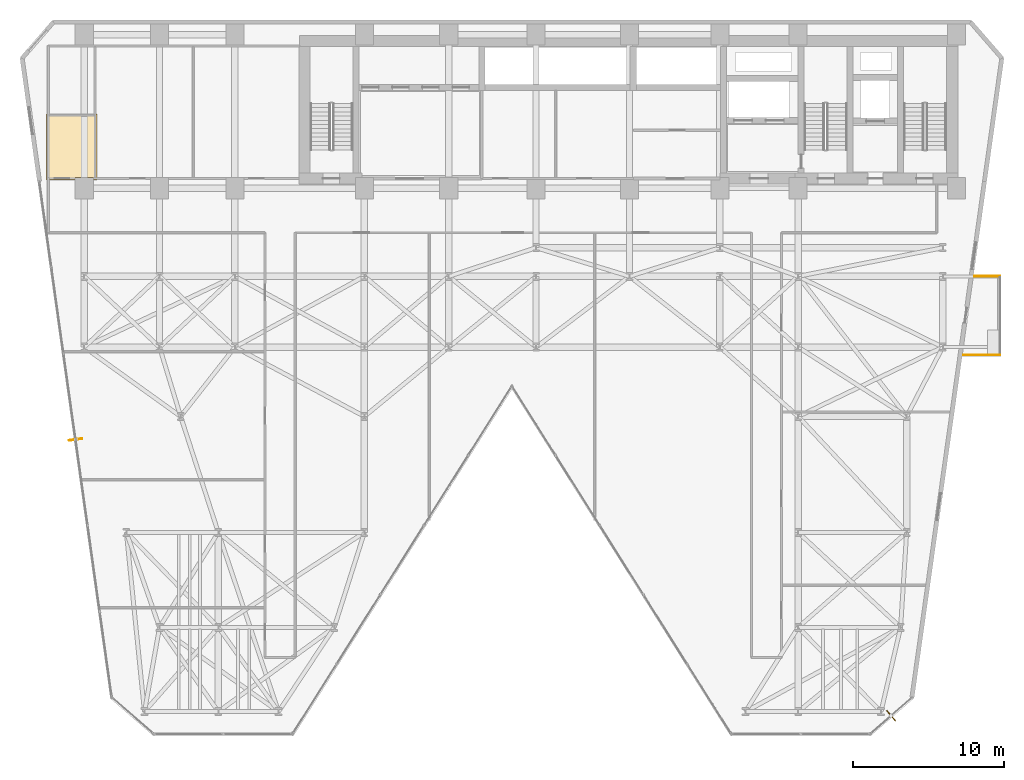
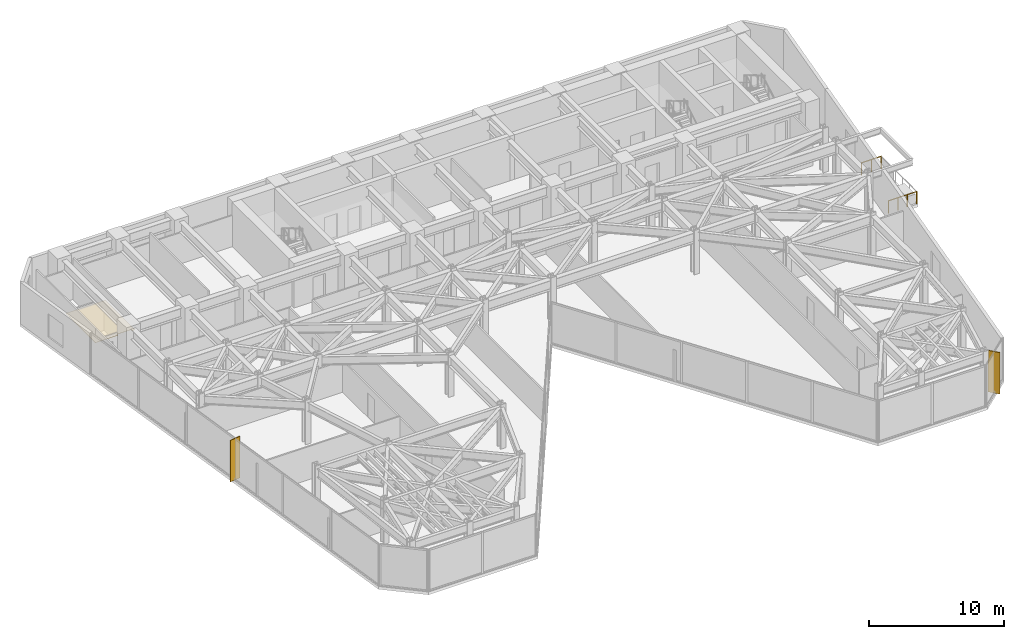
# One storey, part 23 of 25: 2 railings, 2 shading devices, 1 covering.
"""IFC4 building model written with IfcOpenShell, lengths in metres."""

import ifcopenshell
import ifcopenshell.guid

model = None  # the IFC model being written
_history = None  # IfcOwnerHistory: only IFC2X3 demands one
_inside = {}  # id of a spatial element -> (the spatial element, [elements in it])
_under = {}  # id of a project, library or spatial element -> (it, [spatial elements below it])
_declared = {}  # id of a project -> (the project, [libraries it declares])
_typed = {}  # id of a type object -> (the type object, [elements of that type])
_made_of = {}  # id of a material, layer set ... -> (it, [elements and type objects made of it])


def new_model(schema):
    """Start an empty IFC model of exactly this schema.

    Asked for "IFC4X3", IfcOpenShell would pick the latest addendum, in which some entities
    have other attributes; the version numbers below select the first issue.
    IFC2X3 requires an IfcOwnerHistory on every rooted entity: one is made here for all.
    """
    global model, _history
    if schema == "IFC4X3":
        model = ifcopenshell.file(schema_version=(4, 3, 0, 0))
    else:
        model = ifcopenshell.file(schema=schema)
    _inside.clear()
    _under.clear()
    _declared.clear()
    _typed.clear()
    _made_of.clear()
    _history = None
    if model.schema == "IFC2X3":
        org = make("IfcOrganization", Name="unknown")
        user = make(
            "IfcPersonAndOrganization",
            ThePerson=make("IfcPerson", FamilyName="unknown"),
            TheOrganization=org,
        )
        app = make(
            "IfcApplication",
            ApplicationDeveloper=org,
            Version="unknown",
            ApplicationFullName="unknown",
            ApplicationIdentifier="unknown",
        )
        _history = make(
            "IfcOwnerHistory",
            OwningUser=user,
            OwningApplication=app,
            ChangeAction="ADDED",
            CreationDate=0,
        )
    return model


def make(cls, **values):
    """One entity of the class cls with the attributes given. An attribute that is None is left unset."""
    return model.create_entity(
        cls, **{name: value for name, value in values.items() if value is not None}
    )


def rooted(cls, **values):
    """An entity with a GlobalId (a new one), such as an element, a storey or a relation."""
    return make(cls, GlobalId=ifcopenshell.guid.new(), OwnerHistory=_history, **values)


def si_unit(unit_type, name, prefix=None):
    """IfcSIUnit, for example si_unit("LENGTHUNIT", "METRE", prefix="MILLI")."""
    return make("IfcSIUnit", UnitType=unit_type, Prefix=prefix, Name=name)


def assignment(units):
    """IfcUnitAssignment: the units of a project."""
    return None if units is None else make("IfcUnitAssignment", Units=units)


def point(xyz):
    """IfcCartesianPoint."""
    return None if xyz is None else make("IfcCartesianPoint", Coordinates=xyz)


def direction(xyz):
    """IfcDirection."""
    return None if xyz is None else make("IfcDirection", DirectionRatios=xyz)


def frame(location, z_axis=None, x_axis=None):
    """IfcAxis2Placement3D, a coordinate frame: its origin and axes. An axis left out is left unset."""
    return make(
        "IfcAxis2Placement3D",
        Location=point(location),
        Axis=direction(z_axis),
        RefDirection=direction(x_axis),
    )


def frame_2d(location, x_axis=None):
    """IfcAxis2Placement2D, a coordinate frame in the plane: its origin and x axis."""
    return make(
        "IfcAxis2Placement2D", Location=point(location), RefDirection=direction(x_axis)
    )


def origin():
    """The frame at (0, 0, 0) with its axes left unset."""
    return frame((0.0, 0.0, 0.0))


def origin_2d():
    """The frame at (0, 0) in the plane with its x axis left unset."""
    return frame_2d((0.0, 0.0))


def place(relative_to, where):
    """IfcLocalPlacement: puts the frame where relative to a parent placement (None: the world)."""
    return make(
        "IfcLocalPlacement", PlacementRelTo=relative_to, RelativePlacement=where
    )


def context(
    kind, dimensions, precision=None, world=None, true_north=None, identifier=None
):
    """IfcGeometricRepresentationContext, for example the 3D "Model" context."""
    return make(
        "IfcGeometricRepresentationContext",
        ContextIdentifier=identifier,
        ContextType=kind,
        CoordinateSpaceDimension=dimensions,
        Precision=precision,
        WorldCoordinateSystem=world,
        TrueNorth=true_north,
    )


def subcontext(parent, identifier, kind, view, scale=None):
    """IfcGeometricRepresentationSubContext, for example "Body" below "Model"."""
    return make(
        "IfcGeometricRepresentationSubContext",
        ContextIdentifier=identifier,
        ContextType=kind,
        ParentContext=parent,
        TargetScale=scale,
        TargetView=view,
    )


def project(units=None, contexts=None):
    """IfcProject with its units and contexts."""
    return rooted(
        "IfcProject",
        Name="project",
        RepresentationContexts=contexts,
        UnitsInContext=assignment(units),
    )


def spatial(cls, under=None, at=None, **own):
    """A site, building, storey or space (cls), placed at a placement, below another one or the project."""
    s = rooted(cls, ObjectPlacement=at, **own)
    if under is not None:
        _under.setdefault(under.id(), (under, []))[1].append(s)
    return s


def polyline(points):
    """IfcPolyline through the points."""
    return make("IfcPolyline", Points=[point(p) for p in points])


def profile(cls, at=None, kind="AREA", **sizes):
    """A parametric profile (cls). Its sizes go by their IFC names, for example OverallWidth=200.0."""
    return make(cls, ProfileType=kind, Position=at, **sizes)


def rectangle(**sizes):
    """IfcRectangleProfileDef."""
    return profile("IfcRectangleProfileDef", **sizes)


def circle(**sizes):
    """IfcCircleProfileDef."""
    return profile("IfcCircleProfileDef", **sizes)


def outline(outer, holes=None, kind="AREA"):
    """IfcArbitraryClosedProfileDef: a profile drawn as a closed curve; with holes, ...WithVoids."""
    if holes is None:
        return make("IfcArbitraryClosedProfileDef", ProfileType=kind, OuterCurve=outer)
    return make(
        "IfcArbitraryProfileDefWithVoids",
        ProfileType=kind,
        OuterCurve=outer,
        InnerCurves=holes,
    )


def extrude(swept, where, along, depth):
    """IfcExtrudedAreaSolid: the profile swept, set in the frame where, extruded along a direction by depth."""
    return make(
        "IfcExtrudedAreaSolid",
        SweptArea=swept,
        Position=where,
        ExtrudedDirection=direction(along),
        Depth=depth,
    )


def shape(context_of_items, identifier, shape_type, items):
    """IfcShapeRepresentation: the items that make up one representation, for example the "Body"."""
    return make(
        "IfcShapeRepresentation",
        ContextOfItems=context_of_items,
        RepresentationIdentifier=identifier,
        RepresentationType=shape_type,
        Items=items,
    )


def material(Name=None, Category=None):
    """IfcMaterial."""
    return make("IfcMaterial", Name=Name, Category=Category)


def layer(
    of_material, thickness, ventilated=None, Name=None, Category=None, Priority=None
):
    """IfcMaterialLayer: one layer of a wall or slab, of a material (None: an air gap)."""
    return make(
        "IfcMaterialLayer",
        Material=of_material,
        LayerThickness=thickness,
        IsVentilated=ventilated,
        Name=Name,
        Category=Category,
        Priority=Priority,
    )


def layer_set(layers, Name=None):
    """IfcMaterialLayerSet."""
    return make("IfcMaterialLayerSet", MaterialLayers=layers, LayerSetName=Name)


def made_of(thing, what):
    """Note that an element or type object is made of a material, layer set ...; save() writes the relation."""
    if what is not None:
        _made_of.setdefault(what.id(), (what, []))[1].append(thing)
    return thing


def type_object(cls, material=None, **own):
    """A type object (cls), such as IfcWallType, which elements share."""
    return made_of(rooted(cls, **own), material)


def element(
    cls,
    number,
    at=None,
    inside=None,
    cuts=None,
    type_object=None,
    material=None,
    context=None,
    identifier="Body",
    shape_type=None,
    held_by="IfcProductDefinitionShape",
    body=None,
    shapes=None,
    **own,
):
    """One element of the class cls, such as IfcWall. Its Tag is "e" and its number.

    at: its placement. inside: the storey or other place that contains it. cuts: it is an
    opening in that element (IfcRelVoidsElement). A single representation is given by context,
    identifier, shape_type and body (its items); several are given by shapes. held_by: the class
    of the entity that holds the representations. save() writes the other relations.
    """
    e = rooted(cls, Tag="e%d" % number, ObjectPlacement=at, **own)
    if body is not None:
        shapes = [shape(context, identifier, shape_type, body)]
    if shapes is not None:
        e.Representation = make(held_by, Representations=shapes)
    if inside is not None:
        _inside.setdefault(inside.id(), (inside, []))[1].append(e)
    if cuts is not None:
        rooted(
            "IfcRelVoidsElement", RelatingBuildingElement=cuts, RelatedOpeningElement=e
        )
    if type_object is not None:
        _typed.setdefault(type_object.id(), (type_object, []))[1].append(e)
    return made_of(e, material)


def aggregate(whole, parts):
    """IfcRelAggregates: a whole, such as a stair, and the parts it consists of."""
    return rooted("IfcRelAggregates", RelatingObject=whole, RelatedObjects=parts)


def save(model, path):
    """Write the relations noted so far, then the file.

    IfcRelAggregates (storeys below a building ...), IfcRelContainedInSpatialStructure (elements
    in a storey), IfcRelDefinesByType, IfcRelAssociatesMaterial and IfcRelDeclares: one each for
    every whole, place, type object, material and project.
    """
    for whole, parts in _under.values():
        aggregate(whole, parts)
    for where, things in _inside.values():
        rooted(
            "IfcRelContainedInSpatialStructure",
            RelatedElements=things,
            RelatingStructure=where,
        )
    for kind, things in _typed.values():
        rooted("IfcRelDefinesByType", RelatedObjects=things, RelatingType=kind)
    for what, things in _made_of.values():
        rooted("IfcRelAssociatesMaterial", RelatedObjects=things, RelatingMaterial=what)
    for by, libraries in _declared.values():
        rooted("IfcRelDeclares", RelatingContext=by, RelatedDefinitions=libraries)
    model.write(path)


model = new_model("IFC4")

# Units and contexts
model_context = context("Model", 3, precision=1e-05, world=origin(), true_north=direction((0.0, 1.0)))
body_context = subcontext(model_context, "Body", "Model", "MODEL_VIEW")
ifc_project = project(units=[si_unit("LENGTHUNIT", "METRE"), si_unit("AREAUNIT", "SQUARE_METRE"), si_unit("VOLUMEUNIT", "CUBIC_METRE"), si_unit("PLANEANGLEUNIT", "RADIAN"), si_unit("MASSUNIT", "GRAM", prefix="KILO")], contexts=[model_context])

# Site, building, storey
site_placement = place(None, origin())
site = spatial("IfcSite", under=ifc_project, at=site_placement, CompositionType="ELEMENT")
building_placement = place(site_placement, origin())
building = spatial("IfcBuilding", under=site, at=building_placement, Name="Kravanh Interchange Tower", CompositionType="ELEMENT")
storey_placement = place(building_placement, frame((0.0, 0.0, 33.5)))
storey = spatial("IfcBuildingStorey", under=building, at=storey_placement, Name="L07", CompositionType="ELEMENT", Elevation=33.5)

# Covering
ifc_material_1 = material(Name="Acoustic Mineral Fibre Tile on Aluminium Grid", Category="aluminium")
ifc_layer_1 = layer(ifc_material_1, 0.02490234375)
ifc_layer_set_1 = layer_set([ifc_layer_1], Name="Perforated Acoustic Mineral Ceiling 25mm")
covering_type = type_object("IfcCoveringType", Name="Perforated Acoustic Mineral Ceiling 25mm", PredefinedType="CEILING", material=ifc_layer_set_1)
covering_placement = place(storey_placement, frame((0.0, 0.0, 2.550048828125)))
element("IfcCovering", 1, at=covering_placement, inside=storey, type_object=covering_type, Name="L07 Accessible WC Suspended Ceiling", PredefinedType="CEILING", context=body_context, shape_type="SweptSolid", body=[
    extrude(outline(polyline([(9.4599609375, 42.280029296875), (9.4599609375, 37.909912109375), (9.199951171875, 37.909912109375), (9.199951171875, 38.050048828125), (8.0, 38.050048828125), (8.0, 37.909912109375), (6.080078125, 37.909912109375), (6.080078125, 42.280029296875), (9.4599609375, 42.280029296875)])), origin(), (0.0, 0.0, 1.0), 0.02490234375),
])

# Railings
ifc_material_2 = material(Name="Stainless Steel 316", Category="steel")
ifc_layer_2 = layer(ifc_material_2, 0.06005859375)
ifc_layer_set_2 = layer_set([ifc_layer_2], Name="Perimeter Balcony and Terrace Guardrail Stainless 316 1120mm")
railing_type = type_object("IfcRailingType", Name="Perimeter Balcony and Terrace Guardrail Stainless 316 1120mm", PredefinedType="GUARDRAIL", material=ifc_layer_set_2)
railing_1_placement = place(storey_placement, frame((69.39306640625, 26.27001953125, 0.0)))
element("IfcRailing", 2, at=railing_1_placement, inside=storey, type_object=railing_type, Name="L07 E Balcony Guardrail 2", PredefinedType="GUARDRAIL", context=body_context, shape_type="SweptSolid", body=[
    extrude(circle(Radius=0.02392578125, at=origin_2d()), frame((0.0, 0.0, 1.09619140625), z_axis=(-1.0, 0.0, 0.0), x_axis=(0.0, -1.0, 0.0)), (0.0, 0.0, 1.0), 2.42138671875),
    extrude(circle(Radius=0.02099609375, at=origin_2d()), origin(), (0.0, 0.0, 1.0), 1.072021484375),
    extrude(circle(Radius=0.02099609375, at=origin_2d()), frame((-0.80712890625, 0.0, 0.0)), (0.0, 0.0, 1.0), 1.072021484375),
    extrude(circle(Radius=0.02099609375, at=origin_2d()), frame((-1.6142578125, 0.0, 0.0)), (0.0, 0.0, 1.0), 1.072021484375),
    extrude(circle(Radius=0.02099609375, at=origin_2d()), frame((-2.42138671875, 0.0, 0.0)), (0.0, 0.0, 1.0), 1.072021484375),
])
railing_2_placement = place(storey_placement, frame((67.7080078125, 31.510009765625, 0.0)))
element("IfcRailing", 3, at=railing_2_placement, inside=storey, type_object=railing_type, Name="L07 E Balcony Guardrail 3", PredefinedType="GUARDRAIL", context=body_context, shape_type="SweptSolid", body=[
    extrude(circle(Radius=0.02392578125, at=origin_2d()), frame((0.0, 0.0, 1.09619140625), z_axis=(1.0, 0.0, 0.0), x_axis=(0.0, 1.0, 0.0)), (0.0, 0.0, 1.0), 1.68505859375),
    extrude(circle(Radius=0.02099609375, at=origin_2d()), origin(), (0.0, 0.0, 1.0), 1.072021484375),
    extrude(circle(Radius=0.02099609375, at=origin_2d()), frame((0.842529296875, 0.0, 0.0)), (0.0, 0.0, 1.0), 1.072021484375),
    extrude(circle(Radius=0.02099609375, at=origin_2d()), frame((1.68505859375, 0.0, 0.0)), (0.0, 0.0, 1.0), 1.072021484375),
])

# Shading devices
ifc_material_3 = material(Name="Anodised Champagne Bronze Aluminium", Category="aluminium")
ifc_layer_3 = layer(ifc_material_3, 0.06005859375)
ifc_layer_set_3 = layer_set([ifc_layer_3], Name="Vertical Bronze Solar Fin 900mm")
shading_device_type = type_object("IfcShadingDeviceType", Name="Vertical Bronze Solar Fin 900mm", PredefinedType="USERDEFINED", material=ifc_layer_set_3)
for number, where, z_axis, x_axis, name in (
    (4, (8.03271484375, 20.66845703125, 0.0), (0.0, 0.0, 1.0), (-0.990267798532, -0.139175023587, 0.0), "L07 BRONZE SOLAR FIN 1"),
    (5, (62.16943359375, 2.328369140625, 0.0), (0.0, 0.0, 1.0), (0.656067828783, -0.754701930589, 0.0), "L07 BRONZE SOLAR FIN 2"),
):
    element("IfcShadingDevice", number, at=place(storey_placement, frame(where, z_axis=z_axis, x_axis=x_axis)), inside=storey, type_object=shading_device_type, Name=name, ObjectType="FIN", PredefinedType="USERDEFINED", context=body_context, shape_type="SweptSolid", body=[
        extrude(rectangle(XDim=0.89990234375, YDim=0.06005859375, at=origin_2d()), origin(), (0.0, 0.0, 1.0), 3.739990234375),
    ])

save(model, "model.ifc")
